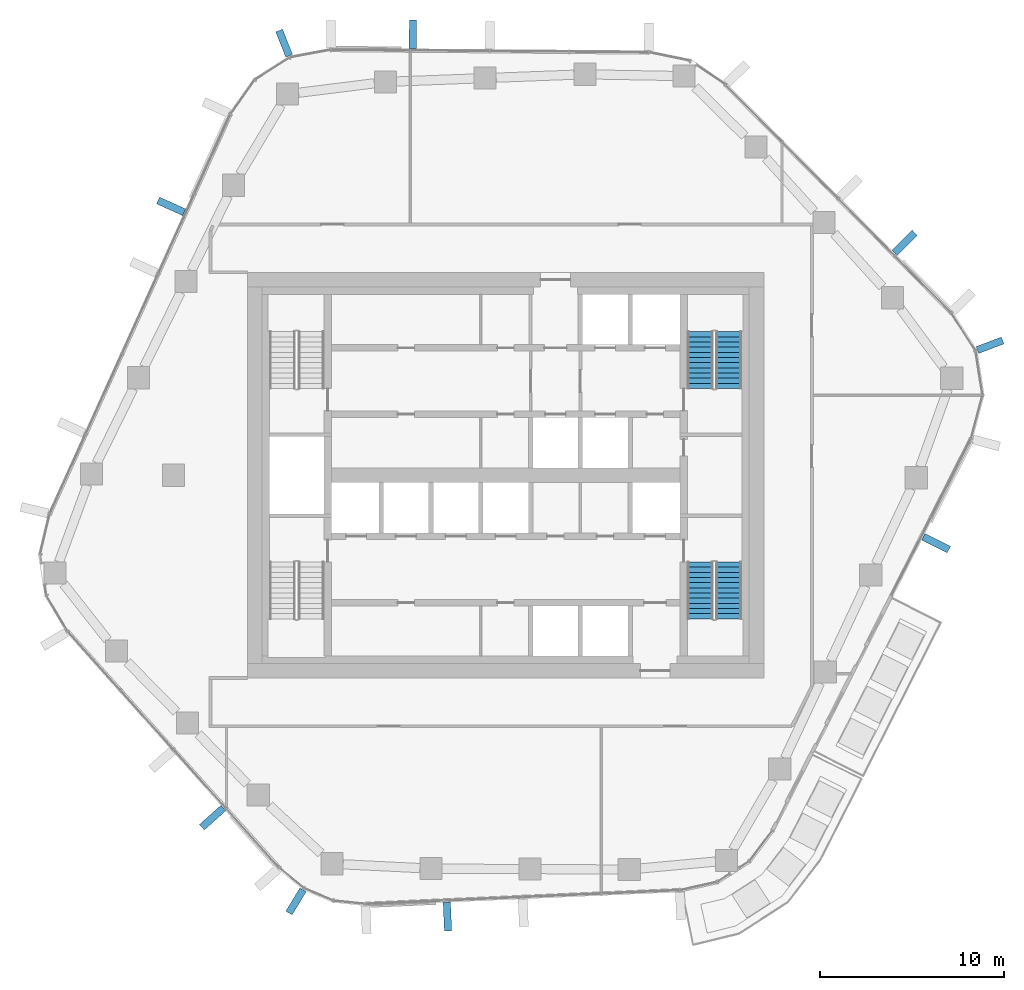
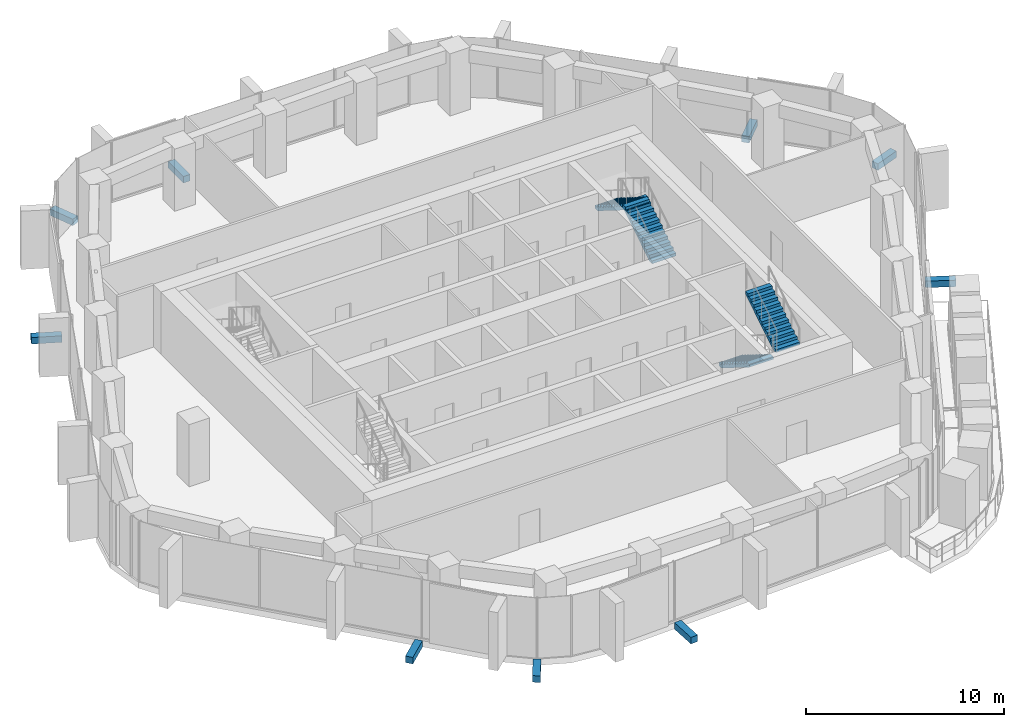
# One storey, part 13 of 17: 9 discrete accessories, 4 stair flights, 2 elements without a shape of their own.
"""IFC4 building model written with IfcOpenShell, lengths in metres."""

from ifc_helpers import new_model, si_unit, direction, frame, origin, origin_2d, place, context, subcontext, project, spatial, polyline, rectangle, outline, extrude, material, layer, layer_set, type_object, element, aggregate, save


model = new_model("IFC4")

# Units and contexts
model_context = context("Model", 3, precision=1e-05, world=origin(), true_north=direction((0.0, 1.0)))
body_context = subcontext(model_context, "Body", "Model", "MODEL_VIEW")
ifc_project = project(units=[si_unit("LENGTHUNIT", "METRE"), si_unit("AREAUNIT", "SQUARE_METRE"), si_unit("VOLUMEUNIT", "CUBIC_METRE"), si_unit("PLANEANGLEUNIT", "RADIAN"), si_unit("MASSUNIT", "GRAM", prefix="KILO")], contexts=[model_context])

# Site, building, storey
site_placement = place(None, origin())
site = spatial("IfcSite", under=ifc_project, at=site_placement, CompositionType="ELEMENT")
building_placement = place(site_placement, origin())
building = spatial("IfcBuilding", under=site, at=building_placement, Name="Dongbaek Canopy Tower", CompositionType="ELEMENT")
storey_placement = place(building_placement, frame((0.0, 0.0, 175.39990234375)))
storey = spatial("IfcBuildingStorey", under=building, at=storey_placement, Name="L38", CompositionType="ELEMENT", Elevation=175.39990234375)

# Stair, stair flights
ifc_material_1 = material(Name="Concrete C40/50", Category="concrete")
stair_type = type_object("IfcStairType", Name="Core exit stair", PredefinedType="HALF_TURN_STAIR", material=ifc_material_1)
stair_1_placement = place(storey_placement, origin())
stair_1 = element("IfcStair", 1, at=stair_1_placement, inside=storey, type_object=stair_type, Name="L38 exit stair A", PredefinedType="HALF_TURN_STAIR")
ifc_material_2 = material(Name="Concrete C40/50", Category="concrete")
ifc_layer = layer(ifc_material_2, 0.14990234375)
ifc_layer_set = layer_set([ifc_layer], Name="Core stair flight 150 waist")
stair_flight_type = type_object("IfcStairFlightType", Name="Core stair flight 150 waist", PredefinedType="STRAIGHT", material=ifc_layer_set)
stair_flight_1_placement = place(storey_placement, frame((12.10009765625, 4.699951171875, 0.0), z_axis=(0.0, 0.0, 1.0), x_axis=(0.0, 1.0, 0.0)))
stair_flight_1 = element("IfcStairFlight", 2, at=stair_flight_1_placement, type_object=stair_flight_type, Name="ST-A flight 1", NumberOfRisers=12, NumberOfTreads=11, PredefinedType="STRAIGHT", RiserHeight=0.175, TreadLength=0.28, context=body_context, shape_type="SweptSolid", body=[
    extrude(outline(polyline([(0.0, 0.0), (0.0, 0.175048828125), (0.280029296875, 0.175048828125), (0.280029296875, 0.35009765625), (0.56005859375, 0.35009765625), (0.56005859375, 0.52490234375), (0.840087890625, 0.52490234375), (0.840087890625, 0.699951171875), (1.1201171875, 0.699951171875), (1.1201171875, 0.875), (1.39990234375, 0.875), (1.39990234375, 1.050048828125), (1.679931640625, 1.050048828125), (1.679931640625, 1.22509765625), (1.9599609375, 1.22509765625), (1.9599609375, 1.39990234375), (2.239990234375, 1.39990234375), (2.239990234375, 1.574951171875), (2.52001953125, 1.574951171875), (2.52001953125, 1.75), (2.800048828125, 1.75), (2.800048828125, 1.925048828125), (3.080078125, 1.925048828125), (3.080078125, 2.10009765625), (3.080078125, 1.748291015625), (0.28271484375, 0.0), (0.0, 0.0)])), frame((0.0, 0.699951171875, 0.0), z_axis=(0.0, -1.0, 0.0), x_axis=(1.0, 0.0, 0.0)), (0.0, 0.0, 1.0), 1.39990234375),
])
stair_flight_2_placement = place(storey_placement, frame((10.550048828125, 7.780029296875, 2.10009765625), z_axis=(0.0, 0.0, 1.0), x_axis=(0.0, -1.0, 0.0)))
stair_flight_2 = element("IfcStairFlight", 3, at=stair_flight_2_placement, type_object=stair_flight_type, Name="ST-A flight 2", NumberOfRisers=12, NumberOfTreads=11, PredefinedType="STRAIGHT", RiserHeight=0.175, TreadLength=0.28, context=body_context, shape_type="SweptSolid", body=[
    extrude(outline(polyline([(0.0, 0.0), (0.0, 0.175048828125), (0.280029296875, 0.175048828125), (0.280029296875, 0.35009765625), (0.56005859375, 0.35009765625), (0.56005859375, 0.52490234375), (0.840087890625, 0.52490234375), (0.840087890625, 0.699951171875), (1.1201171875, 0.699951171875), (1.1201171875, 0.875), (1.39990234375, 0.875), (1.39990234375, 1.050048828125), (1.679931640625, 1.050048828125), (1.679931640625, 1.22509765625), (1.9599609375, 1.22509765625), (1.9599609375, 1.39990234375), (2.239990234375, 1.39990234375), (2.239990234375, 1.574951171875), (2.52001953125, 1.574951171875), (2.52001953125, 1.75), (2.800048828125, 1.75), (2.800048828125, 1.925048828125), (3.080078125, 1.925048828125), (3.080078125, 2.10009765625), (3.080078125, 1.748291015625), (0.28271484375, 0.0), (0.0, 0.0)])), frame((0.0, 0.699951171875, 0.0), z_axis=(0.0, -1.0, 0.0), x_axis=(1.0, 0.0, 0.0)), (0.0, 0.0, 1.0), 1.39990234375),
])
aggregate(stair_1, [stair_flight_1, stair_flight_2])

stair_2_placement = place(storey_placement, origin())
stair_2 = element("IfcStair", 4, at=stair_2_placement, inside=storey, type_object=stair_type, Name="L38 exit stair B", PredefinedType="HALF_TURN_STAIR")
stair_flight_3_placement = place(storey_placement, frame((10.550048828125, -4.699951171875, 0.0), z_axis=(0.0, 0.0, 1.0), x_axis=(0.0, -1.0, 0.0)))
stair_flight_3 = element("IfcStairFlight", 5, at=stair_flight_3_placement, type_object=stair_flight_type, Name="ST-B flight 1", NumberOfRisers=12, NumberOfTreads=11, PredefinedType="STRAIGHT", RiserHeight=0.175, TreadLength=0.28, context=body_context, shape_type="SweptSolid", body=[
    extrude(outline(polyline([(0.0, 0.0), (0.0, 0.175048828125), (0.280029296875, 0.175048828125), (0.280029296875, 0.35009765625), (0.56005859375, 0.35009765625), (0.56005859375, 0.52490234375), (0.840087890625, 0.52490234375), (0.840087890625, 0.699951171875), (1.1201171875, 0.699951171875), (1.1201171875, 0.875), (1.39990234375, 0.875), (1.39990234375, 1.050048828125), (1.679931640625, 1.050048828125), (1.679931640625, 1.22509765625), (1.9599609375, 1.22509765625), (1.9599609375, 1.39990234375), (2.239990234375, 1.39990234375), (2.239990234375, 1.574951171875), (2.52001953125, 1.574951171875), (2.52001953125, 1.75), (2.800048828125, 1.75), (2.800048828125, 1.925048828125), (3.080078125, 1.925048828125), (3.080078125, 2.10009765625), (3.080078125, 1.748291015625), (0.28271484375, 0.0), (0.0, 0.0)])), frame((0.0, 0.699951171875, 0.0), z_axis=(0.0, -1.0, 0.0), x_axis=(1.0, 0.0, 0.0)), (0.0, 0.0, 1.0), 1.39990234375),
])
stair_flight_4_placement = place(storey_placement, frame((12.10009765625, -7.780029296875, 2.10009765625), z_axis=(0.0, 0.0, 1.0), x_axis=(0.0, 1.0, 0.0)))
stair_flight_4 = element("IfcStairFlight", 6, at=stair_flight_4_placement, type_object=stair_flight_type, Name="ST-B flight 2", NumberOfRisers=12, NumberOfTreads=11, PredefinedType="STRAIGHT", RiserHeight=0.175, TreadLength=0.28, context=body_context, shape_type="SweptSolid", body=[
    extrude(outline(polyline([(0.0, 0.0), (0.0, 0.175048828125), (0.280029296875, 0.175048828125), (0.280029296875, 0.35009765625), (0.56005859375, 0.35009765625), (0.56005859375, 0.52490234375), (0.840087890625, 0.52490234375), (0.840087890625, 0.699951171875), (1.1201171875, 0.699951171875), (1.1201171875, 0.875), (1.39990234375, 0.875), (1.39990234375, 1.050048828125), (1.679931640625, 1.050048828125), (1.679931640625, 1.22509765625), (1.9599609375, 1.22509765625), (1.9599609375, 1.39990234375), (2.239990234375, 1.39990234375), (2.239990234375, 1.574951171875), (2.52001953125, 1.574951171875), (2.52001953125, 1.75), (2.800048828125, 1.75), (2.800048828125, 1.925048828125), (3.080078125, 1.925048828125), (3.080078125, 2.10009765625), (3.080078125, 1.748291015625), (0.28271484375, 0.0), (0.0, 0.0)])), frame((0.0, 0.699951171875, 0.0), z_axis=(0.0, -1.0, 0.0), x_axis=(1.0, 0.0, 0.0)), (0.0, 0.0, 1.0), 1.39990234375),
])
aggregate(stair_2, [stair_flight_3, stair_flight_4])

# Discrete accessories
ifc_material_3 = material(Name="Galvanised steel S355 bracket", Category="steel")
discrete_accessory_type = type_object("IfcDiscreteAccessoryType", Name="Crease fin bracket BR3 400", PredefinedType="BRACKET", material=ifc_material_3)
discrete_accessory_1_placement = place(storey_placement, frame((23.330810546875, -3.682861328125, -0.389892578125), z_axis=(0.0, 0.0, 1.0), x_axis=(0.892013002142, -0.452009738844, 0.0)))
element("IfcDiscreteAccessory", 7, at=discrete_accessory_1_placement, inside=storey, type_object=discrete_accessory_type, Name="Crease fin bracket L38 F5", PredefinedType="BRACKET", context=body_context, shape_type="SweptSolid", body=[
    extrude(rectangle(XDim=1.546630859375, YDim=0.39990234375, at=origin_2d()), origin(), (0.0, 0.0, 1.0), 0.39990234375),
])
discrete_accessory_2_placement = place(storey_placement, frame((21.62451171875, 12.601318359375, -0.389892578125), z_axis=(0.0, 0.0, 1.0), x_axis=(0.710990961759, 0.703201146399, 0.0)))
element("IfcDiscreteAccessory", 8, at=discrete_accessory_2_placement, inside=storey, type_object=discrete_accessory_type, Name="Crease fin bracket L38 F0", PredefinedType="BRACKET", context=body_context, shape_type="SweptSolid", body=[
    extrude(rectangle(XDim=1.5478515625, YDim=0.39990234375, at=origin_2d()), origin(), (0.0, 0.0, 1.0), 0.39990234375),
])
discrete_accessory_3_placement = place(storey_placement, frame((-5.02978515625, 23.902587890625, -0.389892578125), z_axis=(0.0, 0.0, 1.0), x_axis=(0.007846919787, 0.999969212451, 0.0)))
element("IfcDiscreteAccessory", 9, at=discrete_accessory_3_placement, inside=storey, type_object=discrete_accessory_type, Name="Crease fin bracket L38 F1", PredefinedType="BRACKET", context=body_context, shape_type="SweptSolid", body=[
    extrude(rectangle(XDim=1.55029296875, YDim=0.39990234375, at=origin_2d()), origin(), (0.0, 0.0, 1.0), 0.39990234375),
])
discrete_accessory_4_placement = place(storey_placement, frame((-18.138916015625, 14.575439453125, -0.389892578125), z_axis=(0.0, 0.0, 1.0), x_axis=(-0.911147411539, 0.412080567907, 0.0)))
element("IfcDiscreteAccessory", 10, at=discrete_accessory_4_placement, inside=storey, type_object=discrete_accessory_type, Name="Crease fin bracket L38 F2", PredefinedType="BRACKET", context=body_context, shape_type="SweptSolid", body=[
    extrude(rectangle(XDim=1.55078125, YDim=0.39990234375, at=origin_2d()), origin(), (0.0, 0.0, 1.0), 0.39990234375),
])
discrete_accessory_5_placement = place(storey_placement, frame((-15.885498046875, -18.55859375, -0.389892578125), z_axis=(0.0, 0.0, 1.0), x_axis=(-0.745210704021, -0.666829068512, 0.0)))
element("IfcDiscreteAccessory", 11, at=discrete_accessory_5_placement, inside=storey, type_object=discrete_accessory_type, Name="Crease fin bracket L38 F3", PredefinedType="BRACKET", context=body_context, shape_type="SweptSolid", body=[
    extrude(rectangle(XDim=1.560791015625, YDim=0.39990234375, at=origin_2d()), origin(), (0.0, 0.0, 1.0), 0.39990234375),
])
discrete_accessory_6_placement = place(storey_placement, frame((-3.15771484375, -23.927001953125, -0.389892578125), z_axis=(0.0, 0.0, 1.0), x_axis=(0.043640311373, -0.9990473078, 0.0)))
element("IfcDiscreteAccessory", 12, at=discrete_accessory_6_placement, inside=storey, type_object=discrete_accessory_type, Name="Crease fin bracket L38 F4", PredefinedType="BRACKET", context=body_context, shape_type="SweptSolid", body=[
    extrude(rectangle(XDim=1.558349609375, YDim=0.39990234375, at=origin_2d()), origin(), (0.0, 0.0, 1.0), 0.39990234375),
])
for number, where, z_axis, x_axis, name in (
    (13, (26.255126953125, 7.0458984375, -0.389892578125), (0.0, 0.0, 1.0), (0.934627201465, 0.355629012149, 0.0), "Corner fin bracket L38 K0"),
    (14, (-12.010986328125, 23.42529296875, -0.389892578125), (0.0, 0.0, 1.0), (-0.367936304274, 0.929850996664, 0.0), "Corner fin bracket L38 K2"),
    (15, (-11.3681640625, -23.102783203125, -0.389892578125), (0.0, 0.0, 1.0), (-0.519286447955, -0.854600248637, 0.0), "Corner fin bracket L38 K4"),
):
    element("IfcDiscreteAccessory", number, at=place(storey_placement, frame(where, z_axis=z_axis, x_axis=x_axis)), inside=storey, type_object=discrete_accessory_type, Name=name, PredefinedType="BRACKET", context=body_context, shape_type="SweptSolid", body=[
        extrude(rectangle(XDim=1.469970703125, YDim=0.39990234375, at=origin_2d()), origin(), (0.0, 0.0, 1.0), 0.39990234375),
    ])

save(model, "model.ifc")
